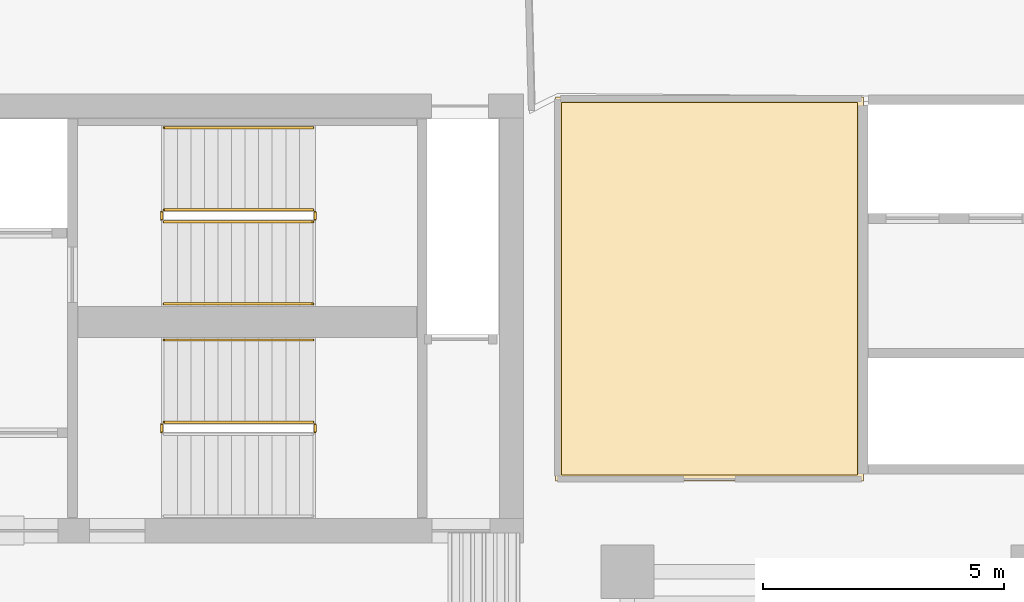
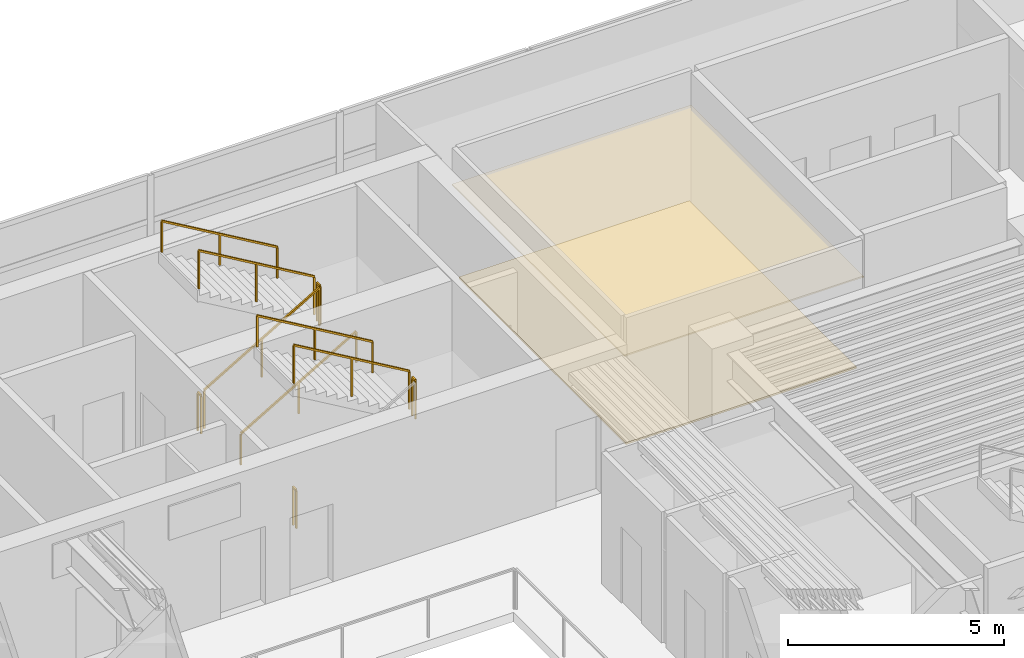
# One storey, part 12 of 13: 10 railings, 2 coverings.
"""IFC4 building model written with IfcOpenShell, lengths in metres."""

import ifcopenshell
import ifcopenshell.guid

model = None  # the IFC model being written
_history = None  # IfcOwnerHistory: only IFC2X3 demands one
_inside = {}  # id of a spatial element -> (the spatial element, [elements in it])
_under = {}  # id of a project, library or spatial element -> (it, [spatial elements below it])
_declared = {}  # id of a project -> (the project, [libraries it declares])
_typed = {}  # id of a type object -> (the type object, [elements of that type])
_made_of = {}  # id of a material, layer set ... -> (it, [elements and type objects made of it])


def new_model(schema):
    """Start an empty IFC model of exactly this schema.

    Asked for "IFC4X3", IfcOpenShell would pick the latest addendum, in which some entities
    have other attributes; the version numbers below select the first issue.
    IFC2X3 requires an IfcOwnerHistory on every rooted entity: one is made here for all.
    """
    global model, _history
    if schema == "IFC4X3":
        model = ifcopenshell.file(schema_version=(4, 3, 0, 0))
    else:
        model = ifcopenshell.file(schema=schema)
    _inside.clear()
    _under.clear()
    _declared.clear()
    _typed.clear()
    _made_of.clear()
    _history = None
    if model.schema == "IFC2X3":
        org = make("IfcOrganization", Name="unknown")
        user = make(
            "IfcPersonAndOrganization",
            ThePerson=make("IfcPerson", FamilyName="unknown"),
            TheOrganization=org,
        )
        app = make(
            "IfcApplication",
            ApplicationDeveloper=org,
            Version="unknown",
            ApplicationFullName="unknown",
            ApplicationIdentifier="unknown",
        )
        _history = make(
            "IfcOwnerHistory",
            OwningUser=user,
            OwningApplication=app,
            ChangeAction="ADDED",
            CreationDate=0,
        )
    return model


def make(cls, **values):
    """One entity of the class cls with the attributes given. An attribute that is None is left unset."""
    return model.create_entity(
        cls, **{name: value for name, value in values.items() if value is not None}
    )


def rooted(cls, **values):
    """An entity with a GlobalId (a new one), such as an element, a storey or a relation."""
    return make(cls, GlobalId=ifcopenshell.guid.new(), OwnerHistory=_history, **values)


def si_unit(unit_type, name, prefix=None):
    """IfcSIUnit, for example si_unit("LENGTHUNIT", "METRE", prefix="MILLI")."""
    return make("IfcSIUnit", UnitType=unit_type, Prefix=prefix, Name=name)


def assignment(units):
    """IfcUnitAssignment: the units of a project."""
    return None if units is None else make("IfcUnitAssignment", Units=units)


def point(xyz):
    """IfcCartesianPoint."""
    return None if xyz is None else make("IfcCartesianPoint", Coordinates=xyz)


def direction(xyz):
    """IfcDirection."""
    return None if xyz is None else make("IfcDirection", DirectionRatios=xyz)


def frame(location, z_axis=None, x_axis=None):
    """IfcAxis2Placement3D, a coordinate frame: its origin and axes. An axis left out is left unset."""
    return make(
        "IfcAxis2Placement3D",
        Location=point(location),
        Axis=direction(z_axis),
        RefDirection=direction(x_axis),
    )


def frame_2d(location, x_axis=None):
    """IfcAxis2Placement2D, a coordinate frame in the plane: its origin and x axis."""
    return make(
        "IfcAxis2Placement2D", Location=point(location), RefDirection=direction(x_axis)
    )


def origin():
    """The frame at (0, 0, 0) with its axes left unset."""
    return frame((0.0, 0.0, 0.0))


def origin_2d():
    """The frame at (0, 0) in the plane with its x axis left unset."""
    return frame_2d((0.0, 0.0))


def place(relative_to, where):
    """IfcLocalPlacement: puts the frame where relative to a parent placement (None: the world)."""
    return make(
        "IfcLocalPlacement", PlacementRelTo=relative_to, RelativePlacement=where
    )


def context(
    kind, dimensions, precision=None, world=None, true_north=None, identifier=None
):
    """IfcGeometricRepresentationContext, for example the 3D "Model" context."""
    return make(
        "IfcGeometricRepresentationContext",
        ContextIdentifier=identifier,
        ContextType=kind,
        CoordinateSpaceDimension=dimensions,
        Precision=precision,
        WorldCoordinateSystem=world,
        TrueNorth=true_north,
    )


def subcontext(parent, identifier, kind, view, scale=None):
    """IfcGeometricRepresentationSubContext, for example "Body" below "Model"."""
    return make(
        "IfcGeometricRepresentationSubContext",
        ContextIdentifier=identifier,
        ContextType=kind,
        ParentContext=parent,
        TargetScale=scale,
        TargetView=view,
    )


def project(units=None, contexts=None):
    """IfcProject with its units and contexts."""
    return rooted(
        "IfcProject",
        Name="project",
        RepresentationContexts=contexts,
        UnitsInContext=assignment(units),
    )


def spatial(cls, under=None, at=None, **own):
    """A site, building, storey or space (cls), placed at a placement, below another one or the project."""
    s = rooted(cls, ObjectPlacement=at, **own)
    if under is not None:
        _under.setdefault(under.id(), (under, []))[1].append(s)
    return s


def polyline(points):
    """IfcPolyline through the points."""
    return make("IfcPolyline", Points=[point(p) for p in points])


def profile(cls, at=None, kind="AREA", **sizes):
    """A parametric profile (cls). Its sizes go by their IFC names, for example OverallWidth=200.0."""
    return make(cls, ProfileType=kind, Position=at, **sizes)


def rectangle(**sizes):
    """IfcRectangleProfileDef."""
    return profile("IfcRectangleProfileDef", **sizes)


def outline(outer, holes=None, kind="AREA"):
    """IfcArbitraryClosedProfileDef: a profile drawn as a closed curve; with holes, ...WithVoids."""
    if holes is None:
        return make("IfcArbitraryClosedProfileDef", ProfileType=kind, OuterCurve=outer)
    return make(
        "IfcArbitraryProfileDefWithVoids",
        ProfileType=kind,
        OuterCurve=outer,
        InnerCurves=holes,
    )


def extrude(swept, where, along, depth):
    """IfcExtrudedAreaSolid: the profile swept, set in the frame where, extruded along a direction by depth."""
    return make(
        "IfcExtrudedAreaSolid",
        SweptArea=swept,
        Position=where,
        ExtrudedDirection=direction(along),
        Depth=depth,
    )


def shape(context_of_items, identifier, shape_type, items):
    """IfcShapeRepresentation: the items that make up one representation, for example the "Body"."""
    return make(
        "IfcShapeRepresentation",
        ContextOfItems=context_of_items,
        RepresentationIdentifier=identifier,
        RepresentationType=shape_type,
        Items=items,
    )


def material(Name=None, Category=None):
    """IfcMaterial."""
    return make("IfcMaterial", Name=Name, Category=Category)


def layer(
    of_material, thickness, ventilated=None, Name=None, Category=None, Priority=None
):
    """IfcMaterialLayer: one layer of a wall or slab, of a material (None: an air gap)."""
    return make(
        "IfcMaterialLayer",
        Material=of_material,
        LayerThickness=thickness,
        IsVentilated=ventilated,
        Name=Name,
        Category=Category,
        Priority=Priority,
    )


def layer_set(layers, Name=None):
    """IfcMaterialLayerSet."""
    return make("IfcMaterialLayerSet", MaterialLayers=layers, LayerSetName=Name)


def made_of(thing, what):
    """Note that an element or type object is made of a material, layer set ...; save() writes the relation."""
    if what is not None:
        _made_of.setdefault(what.id(), (what, []))[1].append(thing)
    return thing


def type_object(cls, material=None, **own):
    """A type object (cls), such as IfcWallType, which elements share."""
    return made_of(rooted(cls, **own), material)


def element(
    cls,
    number,
    at=None,
    inside=None,
    cuts=None,
    type_object=None,
    material=None,
    context=None,
    identifier="Body",
    shape_type=None,
    held_by="IfcProductDefinitionShape",
    body=None,
    shapes=None,
    **own,
):
    """One element of the class cls, such as IfcWall. Its Tag is "e" and its number.

    at: its placement. inside: the storey or other place that contains it. cuts: it is an
    opening in that element (IfcRelVoidsElement). A single representation is given by context,
    identifier, shape_type and body (its items); several are given by shapes. held_by: the class
    of the entity that holds the representations. save() writes the other relations.
    """
    e = rooted(cls, Tag="e%d" % number, ObjectPlacement=at, **own)
    if body is not None:
        shapes = [shape(context, identifier, shape_type, body)]
    if shapes is not None:
        e.Representation = make(held_by, Representations=shapes)
    if inside is not None:
        _inside.setdefault(inside.id(), (inside, []))[1].append(e)
    if cuts is not None:
        rooted(
            "IfcRelVoidsElement", RelatingBuildingElement=cuts, RelatedOpeningElement=e
        )
    if type_object is not None:
        _typed.setdefault(type_object.id(), (type_object, []))[1].append(e)
    return made_of(e, material)


def aggregate(whole, parts):
    """IfcRelAggregates: a whole, such as a stair, and the parts it consists of."""
    return rooted("IfcRelAggregates", RelatingObject=whole, RelatedObjects=parts)


def save(model, path):
    """Write the relations noted so far, then the file.

    IfcRelAggregates (storeys below a building ...), IfcRelContainedInSpatialStructure (elements
    in a storey), IfcRelDefinesByType, IfcRelAssociatesMaterial and IfcRelDeclares: one each for
    every whole, place, type object, material and project.
    """
    for whole, parts in _under.values():
        aggregate(whole, parts)
    for where, things in _inside.values():
        rooted(
            "IfcRelContainedInSpatialStructure",
            RelatedElements=things,
            RelatingStructure=where,
        )
    for kind, things in _typed.values():
        rooted("IfcRelDefinesByType", RelatedObjects=things, RelatingType=kind)
    for what, things in _made_of.values():
        rooted("IfcRelAssociatesMaterial", RelatedObjects=things, RelatingMaterial=what)
    for by, libraries in _declared.values():
        rooted("IfcRelDeclares", RelatingContext=by, RelatedDefinitions=libraries)
    model.write(path)


model = new_model("IFC4")

# Units and contexts
model_context = context("Model", 3, precision=1e-05, world=origin(), true_north=direction((0.0, 1.0)))
body_context = subcontext(model_context, "Body", "Model", "MODEL_VIEW")
ifc_project = project(units=[si_unit("LENGTHUNIT", "METRE"), si_unit("AREAUNIT", "SQUARE_METRE"), si_unit("VOLUMEUNIT", "CUBIC_METRE"), si_unit("PLANEANGLEUNIT", "RADIAN"), si_unit("MASSUNIT", "GRAM", prefix="KILO")], contexts=[model_context])

# Site, building, storey
site_placement = place(None, origin())
site = spatial("IfcSite", under=ifc_project, at=site_placement, CompositionType="ELEMENT")
building_placement = place(site_placement, origin())
building = spatial("IfcBuilding", under=site, at=building_placement, Name="Caeloran Harvest Quay", CompositionType="ELEMENT")
storey_placement = place(building_placement, frame((0.0, 0.0, 143.0)))
storey = spatial("IfcBuildingStorey", under=building, at=storey_placement, Name="L33", CompositionType="ELEMENT", Elevation=143.0)

# Coverings
ifc_material_1 = material(Name="Perforated Mineral-Fibre Acoustic Ceiling Tile", Category="ceiling")
ifc_layer_1 = layer(ifc_material_1, 0.0400390625, Name="Perforated Mineral-Fibre Acoustic Ceiling Tile")
ifc_layer_set_1 = layer_set([ifc_layer_1], Name="Perforated Mineral-Fibre Acoustic Ceiling Tile")
covering_type_1 = type_object("IfcCoveringType", Name="COV-CEILING-ACOUSTIC", PredefinedType="CEILING", material=ifc_layer_set_1)
covering_1_placement = place(storey_placement, frame((0.0, 0.0, 2.60009765625)))
element("IfcCovering", 1, at=covering_1_placement, inside=storey, type_object=covering_type_1, Name="L33 Bioinformatics and Crop Phenotyping Laboratory Acoustic Ceiling", PredefinedType="CEILING", context=body_context, shape_type="SweptSolid", body=[
    extrude(outline(polyline([(30.389892578125, 40.840087890625), (30.389892578125, 32.8798828125), (24.010009765625, 32.8798828125), (24.010009765625, 40.840087890625), (30.389892578125, 40.840087890625)])), origin(), (0.0, 0.0, 1.0), 0.039794921875),
])
ifc_material_2 = material(Name="Calcium-Sulphate Raised Access Floor and Terrazzo Finish", Category="flooring")
ifc_layer_2 = layer(ifc_material_2, 0.050048828125, Name="Calcium-Sulphate Raised Access Floor and Terrazzo Finish")
ifc_layer_set_2 = layer_set([ifc_layer_2], Name="Calcium-Sulphate Raised Access Floor and Terrazzo Finish")
covering_type_2 = type_object("IfcCoveringType", Name="COV-FLOOR-RAISED", PredefinedType="FLOORING", material=ifc_layer_set_2)
covering_2_placement = place(storey_placement, origin())
element("IfcCovering", 2, at=covering_2_placement, inside=storey, type_object=covering_type_2, Name="L33 Bioinformatics and Crop Phenotyping Laboratory Raised Finish Flooring", PredefinedType="FLOORING", context=body_context, shape_type="SweptSolid", body=[
    extrude(outline(polyline([(30.27001953125, 40.719970703125), (30.27001953125, 33.0), (24.1298828125, 33.0), (24.1298828125, 40.719970703125), (30.27001953125, 40.719970703125)])), origin(), (0.0, 0.0, 1.0), 0.050048828125),
])

# Railings
ifc_material_3 = material(Name="Painted Steel Baluster and Top-Rail Stair Guard", Category="steel")
ifc_layer_3 = layer(ifc_material_3, 0.050048828125, Name="Painted Steel Baluster and Top-Rail Stair Guard")
ifc_layer_set_3 = layer_set([ifc_layer_3], Name="Painted Steel Baluster and Top-Rail Stair Guard")
railing_type_1 = type_object("IfcRailingType", Name="STAIR-GUARD-1100", PredefinedType="GUARDRAIL", material=ifc_layer_set_3)
railing_1_placement = place(storey_placement, frame((15.89990234375, 38.25, 0.16455078125)))
element("IfcRailing", 3, at=railing_1_placement, inside=storey, type_object=railing_type_1, Name="L33 ST-C1 stair guard 1", PredefinedType="GUARDRAIL", context=body_context, shape_type="SweptSolid", body=[
    extrude(rectangle(XDim=0.048095703125, YDim=0.048095703125, at=origin_2d()), frame((0.0, 0.0, 1.076171875), z_axis=(0.862088758681, 0.0, 0.506757310905), x_axis=(0.0, 1.0, 0.0)), (0.0, 0.0, 1.0), 3.57275390625),
    extrude(rectangle(XDim=0.0419921875, YDim=0.0419921875, at=origin_2d()), origin(), (0.0, 0.0, 1.0), 1.052001953125),
    extrude(rectangle(XDim=0.0419921875, YDim=0.0419921875, at=origin_2d()), frame((1.5400390625, 0.0, 0.9052734375)), (0.0, 0.0, 1.0), 1.052001953125),
    extrude(rectangle(XDim=0.0419921875, YDim=0.0419921875, at=origin_2d()), frame((3.080078125, 0.0, 1.810546875)), (0.0, 0.0, 1.0), 1.052001953125),
])
railing_2_placement = place(storey_placement, frame((19.030029296875, 38.300048828125, 1.97509765625)))
element("IfcRailing", 4, at=railing_2_placement, inside=storey, type_object=railing_type_1, Name="L33 ST-C1 stair guard 2", PredefinedType="GUARDRAIL", context=body_context, shape_type="SweptSolid", body=[
    extrude(rectangle(XDim=0.048095703125, YDim=0.048095703125, at=origin_2d()), frame((0.0, 0.0, 1.076171875), z_axis=(0.0, 1.0, 0.0), x_axis=(-1.0, 0.0, 0.0)), (0.0, 0.0, 1.0), 0.14990234375),
    extrude(rectangle(XDim=0.0419921875, YDim=0.0419921875, at=origin_2d()), origin(), (0.0, 0.0, 1.0), 1.052001953125),
    extrude(rectangle(XDim=0.0419921875, YDim=0.0419921875, at=origin_2d()), frame((0.0, 0.14990234375, 0.0)), (0.0, 0.0, 1.0), 1.052001953125),
])
railing_3_placement = place(storey_placement, frame((18.97998046875, 38.5, 2.1396484375)))
element("IfcRailing", 5, at=railing_3_placement, inside=storey, type_object=railing_type_1, Name="L33 ST-C1 stair guard 3", PredefinedType="GUARDRAIL", context=body_context, shape_type="SweptSolid", body=[
    extrude(rectangle(XDim=0.048095703125, YDim=0.048095703125, at=origin_2d()), frame((0.0, 0.0, 1.076171875), z_axis=(-0.862118610829, 0.0, 0.506706523406), x_axis=(0.0, -1.0, 0.0)), (0.0, 0.0, 1.0), 3.57275390625),
    extrude(rectangle(XDim=0.0419921875, YDim=0.0419921875, at=origin_2d()), origin(), (0.0, 0.0, 1.0), 1.052001953125),
    extrude(rectangle(XDim=0.0419921875, YDim=0.0419921875, at=origin_2d()), frame((-1.5400390625, 0.0, 0.9052734375)), (0.0, 0.0, 1.0), 1.052001953125),
    extrude(rectangle(XDim=0.0419921875, YDim=0.0419921875, at=origin_2d()), frame((-3.080078125, 0.0, 1.810302734375)), (0.0, 0.0, 1.0), 1.052001953125),
])
railing_4_placement = place(storey_placement, frame((15.85009765625, 38.300048828125, 0.0)))
element("IfcRailing", 6, at=railing_4_placement, inside=storey, type_object=railing_type_1, Name="L33 ST-C1 stair guard 4", PredefinedType="GUARDRAIL", context=body_context, shape_type="SweptSolid", body=[
    extrude(rectangle(XDim=0.048095703125, YDim=0.048095703125, at=origin_2d()), frame((0.0, 0.0, 1.076171875), z_axis=(0.0, 1.0, 0.0), x_axis=(-1.0, 0.0, 0.0)), (0.0, 0.0, 1.0), 0.14990234375),
    extrude(rectangle(XDim=0.0419921875, YDim=0.0419921875, at=origin_2d()), origin(), (0.0, 0.0, 1.0), 1.052001953125),
    extrude(rectangle(XDim=0.0419921875, YDim=0.0419921875, at=origin_2d()), frame((0.0, 0.14990234375, 0.0)), (0.0, 0.0, 1.0), 1.052001953125),
])
railing_5_placement = place(storey_placement, frame((19.030029296875, 33.89990234375, 1.97509765625)))
element("IfcRailing", 7, at=railing_5_placement, inside=storey, type_object=railing_type_1, Name="L33 ST-C2 stair guard 2", PredefinedType="GUARDRAIL", context=body_context, shape_type="SweptSolid", body=[
    extrude(rectangle(XDim=0.048095703125, YDim=0.048095703125, at=origin_2d()), frame((0.0, 0.0, 1.076171875), z_axis=(0.0, 1.0, 0.0), x_axis=(-1.0, 0.0, 0.0)), (0.0, 0.0, 1.0), 0.150146484375),
    extrude(rectangle(XDim=0.0419921875, YDim=0.0419921875, at=origin_2d()), origin(), (0.0, 0.0, 1.0), 1.052001953125),
    extrude(rectangle(XDim=0.0419921875, YDim=0.0419921875, at=origin_2d()), frame((0.0, 0.150146484375, 0.0)), (0.0, 0.0, 1.0), 1.052001953125),
])
railing_6_placement = place(storey_placement, frame((18.97998046875, 34.10009765625, 2.1396484375)))
element("IfcRailing", 8, at=railing_6_placement, inside=storey, type_object=railing_type_1, Name="L33 ST-C2 stair guard 3", PredefinedType="GUARDRAIL", context=body_context, shape_type="SweptSolid", body=[
    extrude(rectangle(XDim=0.048095703125, YDim=0.048095703125, at=origin_2d()), frame((0.0, 0.0, 1.076171875), z_axis=(-0.862118610829, 0.0, 0.506706523406), x_axis=(0.0, -1.0, 0.0)), (0.0, 0.0, 1.0), 3.57275390625),
    extrude(rectangle(XDim=0.0419921875, YDim=0.0419921875, at=origin_2d()), origin(), (0.0, 0.0, 1.0), 1.052001953125),
    extrude(rectangle(XDim=0.0419921875, YDim=0.0419921875, at=origin_2d()), frame((-1.5400390625, 0.0, 0.9052734375)), (0.0, 0.0, 1.0), 1.052001953125),
    extrude(rectangle(XDim=0.0419921875, YDim=0.0419921875, at=origin_2d()), frame((-3.080078125, 0.0, 1.810302734375)), (0.0, 0.0, 1.0), 1.052001953125),
])
railing_7_placement = place(storey_placement, frame((15.85009765625, 33.89990234375, 0.0)))
element("IfcRailing", 9, at=railing_7_placement, inside=storey, type_object=railing_type_1, Name="L33 ST-C2 stair guard 4", PredefinedType="GUARDRAIL", context=body_context, shape_type="SweptSolid", body=[
    extrude(rectangle(XDim=0.048095703125, YDim=0.048095703125, at=origin_2d()), frame((0.0, 0.0, 1.076171875), z_axis=(0.0, 1.0, 0.0), x_axis=(-1.0, 0.0, 0.0)), (0.0, 0.0, 1.0), 0.150146484375),
    extrude(rectangle(XDim=0.0419921875, YDim=0.0419921875, at=origin_2d()), origin(), (0.0, 0.0, 1.0), 1.052001953125),
    extrude(rectangle(XDim=0.0419921875, YDim=0.0419921875, at=origin_2d()), frame((0.0, 0.150146484375, 0.0)), (0.0, 0.0, 1.0), 1.052001953125),
])
ifc_material_4 = material(Name="Brushed Stainless Steel Grade 304", Category="steel")
ifc_layer_4 = layer(ifc_material_4, 0.050048828125, Name="Brushed Stainless Steel Grade 304")
ifc_layer_set_4 = layer_set([ifc_layer_4], Name="Brushed Stainless Steel Grade 304")
railing_type_2 = type_object("IfcRailingType", Name="STAIR-HANDRAIL-900", PredefinedType="HANDRAIL", material=ifc_layer_set_4)
railing_8_placement = place(storey_placement, frame((15.89990234375, 36.550048828125, 0.16455078125)))
element("IfcRailing", 10, at=railing_8_placement, inside=storey, type_object=railing_type_2, Name="L33 ST-C1 stair handrail 1", PredefinedType="HANDRAIL", context=body_context, shape_type="SweptSolid", body=[
    extrude(rectangle(XDim=0.048095703125, YDim=0.048095703125, at=origin_2d()), frame((0.0, 0.0, 0.8759765625), z_axis=(0.862088758681, 0.0, 0.506757310905), x_axis=(0.0, 1.0, 0.0)), (0.0, 0.0, 1.0), 3.57275390625),
    extrude(rectangle(XDim=0.0419921875, YDim=0.0419921875, at=origin_2d()), origin(), (0.0, 0.0, 1.0), 0.851806640625),
    extrude(rectangle(XDim=0.0419921875, YDim=0.0419921875, at=origin_2d()), frame((1.5400390625, 0.0, 0.9052734375)), (0.0, 0.0, 1.0), 0.851806640625),
    extrude(rectangle(XDim=0.0419921875, YDim=0.0419921875, at=origin_2d()), frame((3.080078125, 0.0, 1.810546875)), (0.0, 0.0, 1.0), 0.851806640625),
])
for number, where, name in (
    (11, (18.97998046875, 40.199951171875, 2.1396484375), "L33 ST-C1 stair handrail 2"),
    (12, (18.97998046875, 35.800048828125, 2.1396484375), "L33 ST-C2 stair handrail 2"),
):
    element("IfcRailing", number, at=place(storey_placement, frame(where)), inside=storey, type_object=railing_type_2, Name=name, PredefinedType="HANDRAIL", context=body_context, shape_type="SweptSolid", body=[
        extrude(rectangle(XDim=0.048095703125, YDim=0.048095703125, at=origin_2d()), frame((0.0, 0.0, 0.8759765625), z_axis=(-0.862118610829, 0.0, 0.506706523406), x_axis=(0.0, -1.0, 0.0)), (0.0, 0.0, 1.0), 3.57275390625),
        extrude(rectangle(XDim=0.0419921875, YDim=0.0419921875, at=origin_2d()), origin(), (0.0, 0.0, 1.0), 0.851806640625),
        extrude(rectangle(XDim=0.0419921875, YDim=0.0419921875, at=origin_2d()), frame((-1.5400390625, 0.0, 0.9052734375)), (0.0, 0.0, 1.0), 0.851806640625),
        extrude(rectangle(XDim=0.0419921875, YDim=0.0419921875, at=origin_2d()), frame((-3.080078125, 0.0, 1.810302734375)), (0.0, 0.0, 1.0), 0.851806640625),
    ])

save(model, "model.ifc")
